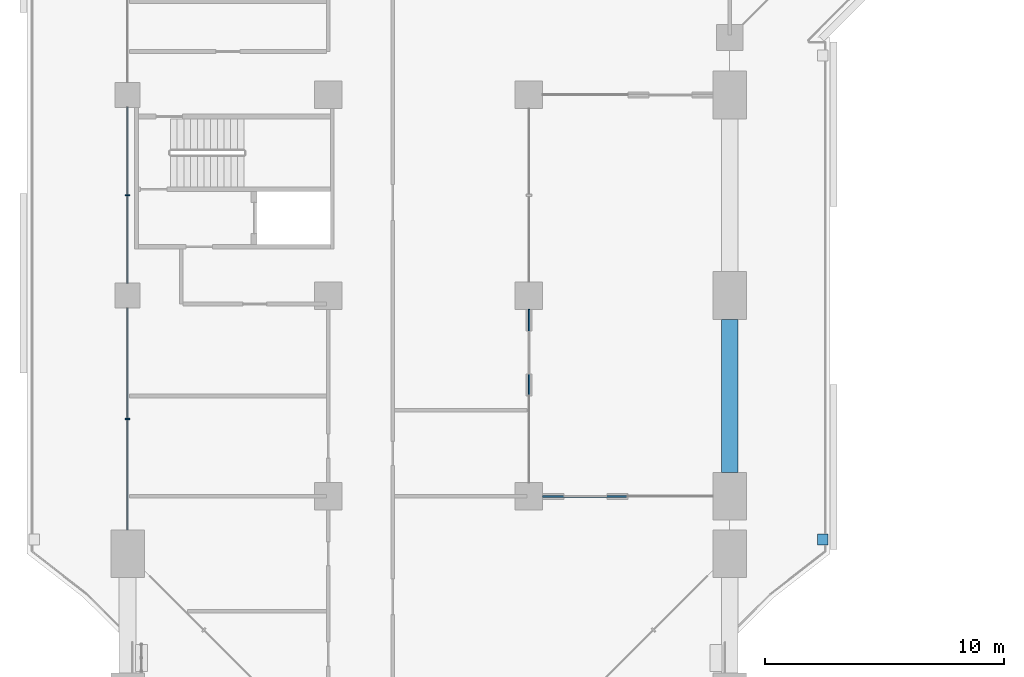
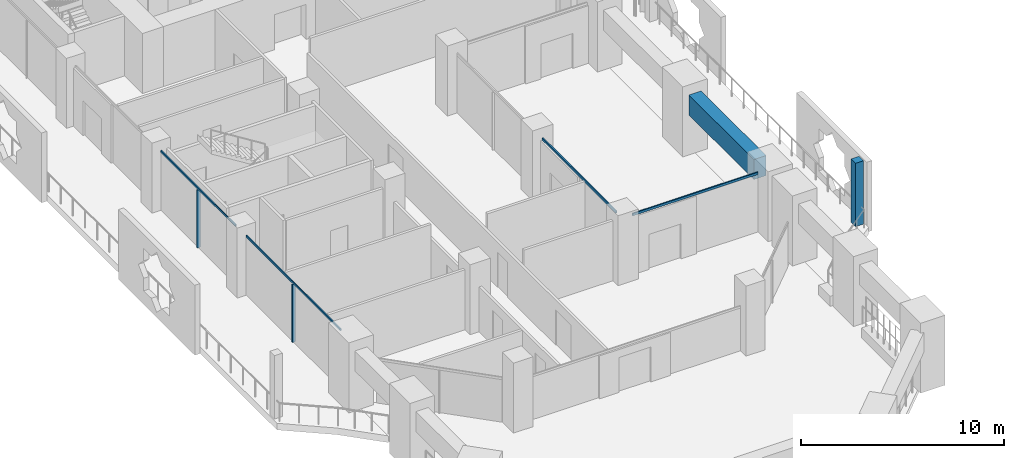
# One storey, part 3 of 25: 7 members, 1 beam, 4 elements without a shape of their own.
"""IFC4 building model written with IfcOpenShell, lengths in metres."""

from ifc_helpers import new_model, si_unit, direction, frame, origin, origin_2d, place, context, subcontext, project, spatial, rectangle, extrude, material, layer, layer_set, material_profile, profile_set, type_object, element, aggregate, save


model = new_model("IFC4")

# Units and contexts
model_context = context("Model", 3, precision=1e-05, world=origin(), true_north=direction((0.0, 1.0)))
body_context = subcontext(model_context, "Body", "Model", "MODEL_VIEW")
ifc_project = project(units=[si_unit("LENGTHUNIT", "METRE"), si_unit("AREAUNIT", "SQUARE_METRE"), si_unit("VOLUMEUNIT", "CUBIC_METRE"), si_unit("PLANEANGLEUNIT", "RADIAN"), si_unit("MASSUNIT", "GRAM", prefix="KILO")], contexts=[model_context])

# Site, building, storey
site_placement = place(None, origin())
site = spatial("IfcSite", under=ifc_project, at=site_placement, CompositionType="ELEMENT")
building_placement = place(site_placement, origin())
building = spatial("IfcBuilding", under=site, at=building_placement, Name="Kawkab Arch Medical Tower", CompositionType="ELEMENT")
storey_placement = place(building_placement, frame((0.0, 0.0, 98.800048828125)))
storey = spatial("IfcBuildingStorey", under=building, at=storey_placement, Name="L22", CompositionType="ELEMENT", Elevation=98.800048828125)

# Curtain wall, members
ifc_material_1 = material(Name="Bronze anodised aluminium curtain wall frame", Category="aluminium")
ifc_layer_1 = layer(ifc_material_1, 0.159912109375)
ifc_layer_set_1 = layer_set([ifc_layer_1], Name="Bronze anodised aluminium curtain wall frame")
curtain_wall_type_1 = type_object("IfcCurtainWallType", Name="CW1 ward curtain wall", PredefinedType="NOTDEFINED", material=ifc_layer_set_1)
placement = place(storey_placement, origin())
curtain_wall_1 = element("IfcCurtainWall", 1, at=placement, inside=storey, type_object=curtain_wall_type_1, Name="CW1 Ward curtain wall R13", PredefinedType="NOTDEFINED")
ifc_material_2 = material(Name="Bronze anodised aluminium curtain wall frame", Category="aluminium")
ifc_material_profile_1 = material_profile(ifc_material_2, rectangle(XDim=0.179931640625, YDim=0.06005859375, at=origin_2d()), Name="AL 60x180")
ifc_profile_set_1 = profile_set([ifc_material_profile_1], Name="Bronze anodised aluminium curtain wall frame")
member_type_1 = type_object("IfcMemberType", Name="CW1 mullion 60 x 180", PredefinedType="MULLION", material=ifc_profile_set_1)
member_1_placement = place(storey_placement, frame((0.0, -37.800048828125, 0.0), z_axis=(0.0, 0.0, 1.0), x_axis=(1.0, 0.0, 0.0)))
member_1 = element("IfcMember", 2, at=member_1_placement, type_object=member_type_1, Name="CW1 mullion 5.1", PredefinedType="MULLION", context=body_context, shape_type="SweptSolid", body=[
    extrude(rectangle(XDim=0.179931640625, YDim=0.06005859375, at=origin_2d()), origin(), (0.0, 0.0, 1.0), 3.47998046875),
])
member_2_placement = place(storey_placement, frame((0.0, -47.16259765625, 0.0), z_axis=(0.0, 0.0, 1.0), x_axis=(1.0, 0.0, 0.0)))
member_2 = element("IfcMember", 3, at=member_2_placement, type_object=member_type_1, Name="CW1 mullion 6.1", PredefinedType="MULLION", context=body_context, shape_type="SweptSolid", body=[
    extrude(rectangle(XDim=0.179931640625, YDim=0.06005859375, at=origin_2d()), origin(), (0.0, 0.0, 1.0), 3.47998046875),
])
ifc_material_3 = material(Name="Bronze anodised aluminium curtain wall frame", Category="aluminium")
ifc_material_profile_2 = material_profile(ifc_material_3, rectangle(XDim=0.06005859375, YDim=0.1201171875, at=origin_2d()), Name="AL 60x120")
ifc_profile_set_2 = profile_set([ifc_material_profile_2], Name="Bronze anodised aluminium curtain wall frame")
member_type_2 = type_object("IfcMemberType", Name="CW1 transom 120 x 60", PredefinedType="USERDEFINED", material=ifc_profile_set_2)
member_3_placement = place(storey_placement, frame((0.0, -34.125, 3.5400390625), z_axis=(0.0, -1.0, 0.0), x_axis=(1.0, 0.0, 0.0)))
member_3 = element("IfcMember", 4, at=member_3_placement, type_object=member_type_2, Name="CW1 transom 5", ObjectType="TRANSOM", PredefinedType="USERDEFINED", context=body_context, shape_type="SweptSolid", body=[
    extrude(rectangle(XDim=0.06005859375, YDim=0.1201171875, at=origin_2d()), origin(), (0.0, 0.0, 1.0), 7.35009765625),
])
member_4_placement = place(storey_placement, frame((0.0, -42.52490234375, 3.5400390625), z_axis=(0.0, -1.0, 0.0), x_axis=(1.0, 0.0, 0.0)))
member_4 = element("IfcMember", 5, at=member_4_placement, type_object=member_type_2, Name="CW1 transom 6", ObjectType="TRANSOM", PredefinedType="USERDEFINED", context=body_context, shape_type="SweptSolid", body=[
    extrude(rectangle(XDim=0.06005859375, YDim=0.1201171875, at=origin_2d()), origin(), (0.0, 0.0, 1.0), 9.275146484375),
])
aggregate(curtain_wall_1, [member_3, member_1, member_4, member_2])

# Curtain wall, member
ifc_material_4 = material(Name="Bronze anodised aluminium curtain wall frame", Category="aluminium")
ifc_layer_2 = layer(ifc_material_4, 0.159912109375)
ifc_layer_set_2 = layer_set([ifc_layer_2], Name="Bronze anodised aluminium curtain wall frame")
curtain_wall_type_2 = type_object("IfcCurtainWallType", Name="CW3 sky garden curtain wall", PredefinedType="NOTDEFINED", material=ifc_layer_set_2)
curtain_wall_2 = element("IfcCurtainWall", 6, at=placement, inside=storey, type_object=curtain_wall_type_2, Name="CW3 Sky garden curtain wall R02", PredefinedType="NOTDEFINED")
ifc_material_5 = material(Name="Bronze anodised aluminium curtain wall frame", Category="aluminium")
ifc_material_profile_3 = material_profile(ifc_material_5, rectangle(XDim=0.070068359375, YDim=0.139892578125, at=origin_2d()), Name="AL 70x140")
ifc_profile_set_3 = profile_set([ifc_material_profile_3], Name="Bronze anodised aluminium curtain wall frame")
member_type_3 = type_object("IfcMemberType", Name="CW3 transom 140 x 70", PredefinedType="USERDEFINED", material=ifc_profile_set_3)
member_5_placement = place(storey_placement, frame((24.5, -50.39990234375, 3.530029296875), z_axis=(-1.0, 0.0, 0.0), x_axis=(0.0, -1.0, 0.0)))
member_5 = element("IfcMember", 7, at=member_5_placement, type_object=member_type_3, Name="CW3 transom 1", ObjectType="TRANSOM", PredefinedType="USERDEFINED", context=body_context, shape_type="SweptSolid", body=[
    extrude(rectangle(XDim=0.070068359375, YDim=0.139892578125, at=origin_2d()), origin(), (0.0, 0.0, 1.0), 7.125),
])
aggregate(curtain_wall_2, [member_5])

curtain_wall_3 = element("IfcCurtainWall", 8, at=placement, inside=storey, type_object=curtain_wall_type_2, Name="CW3 Sky garden curtain wall R03", PredefinedType="NOTDEFINED")
member_6_placement = place(storey_placement, frame((16.800048828125, -49.824951171875, 3.530029296875), z_axis=(0.0, 1.0, 0.0), x_axis=(-1.0, 0.0, 0.0)))
member_6 = element("IfcMember", 9, at=member_6_placement, type_object=member_type_3, Name="CW3 transom 1", ObjectType="TRANSOM", PredefinedType="USERDEFINED", context=body_context, shape_type="SweptSolid", body=[
    extrude(rectangle(XDim=0.070068359375, YDim=0.139892578125, at=origin_2d()), origin(), (0.0, 0.0, 1.0), 7.25),
])
aggregate(curtain_wall_3, [member_6])

ifc_material_6 = material(Name="Bronze anodised aluminium climber frame, planted", Category="aluminium")
ifc_layer_3 = layer(ifc_material_6, 0.449951171875)
ifc_layer_set_3 = layer_set([ifc_layer_3], Name="Bronze anodised aluminium climber frame, planted")
curtain_wall_type_3 = type_object("IfcCurtainWallType", Name="Planted climber frame", PredefinedType="NOTDEFINED", material=ifc_layer_set_3)
curtain_wall_4 = element("IfcCurtainWall", 10, at=placement, inside=storey, type_object=curtain_wall_type_3, Name="Planted climber frame L22", PredefinedType="NOTDEFINED")
ifc_material_7 = material(Name="Bronze anodised aluminium climber frame, planted", Category="aluminium")
ifc_material_profile_4 = material_profile(ifc_material_7, rectangle(XDim=0.449951171875, YDim=0.449951171875, at=origin_2d()), Name="Post 450x450")
ifc_profile_set_4 = profile_set([ifc_material_profile_4], Name="Bronze anodised aluminium climber frame, planted")
member_type_4 = type_object("IfcMemberType", Name="Planted climber post 450 x 450", PredefinedType="MULLION", material=ifc_profile_set_4)
member_7_placement = place(storey_placement, frame((29.10009765625, -52.202880859375, 0.0), z_axis=(0.0, 0.0, 1.0), x_axis=(1.0, 0.0, 0.0)))
member_7 = element("IfcMember", 11, at=member_7_placement, type_object=member_type_4, Name="Planted climber post L22.LOG-01-01.6", PredefinedType="MULLION", context=body_context, shape_type="SweptSolid", body=[
    extrude(rectangle(XDim=0.449951171875, YDim=0.449951171875, at=origin_2d()), origin(), (0.0, 0.0, 1.0), 3.800048828125),
])
aggregate(curtain_wall_4, [member_7])

# Beam
ifc_material_8 = material(Name="Concrete C55/67", Category="concrete")
ifc_material_profile_5 = material_profile(ifc_material_8, rectangle(XDim=0.699951171875, YDim=1.199951171875, at=origin_2d()), Name="RC 700x1200")
ifc_profile_set_5 = profile_set([ifc_material_profile_5], Name="Concrete C55/67")
beam_type = type_object("IfcBeamType", Name="RC 700x1200 beam C55/67", PredefinedType="BEAM", material=ifc_profile_set_5)
beam_placement = place(storey_placement, frame((25.199951171875, -43.0, 3.0), z_axis=(0.0, -1.0, 0.0), x_axis=(1.0, 0.0, 0.0)))
element("IfcBeam", 12, at=beam_placement, inside=storey, type_object=beam_type, Name="Terrace frame beam TF-L22-2-L23-02", PredefinedType="BEAM", context=body_context, shape_type="SweptSolid", body=[
    extrude(rectangle(XDim=0.699951171875, YDim=1.199951171875, at=origin_2d()), origin(), (0.0, 0.0, 1.0), 6.39990234375),
])

save(model, "model.ifc")
